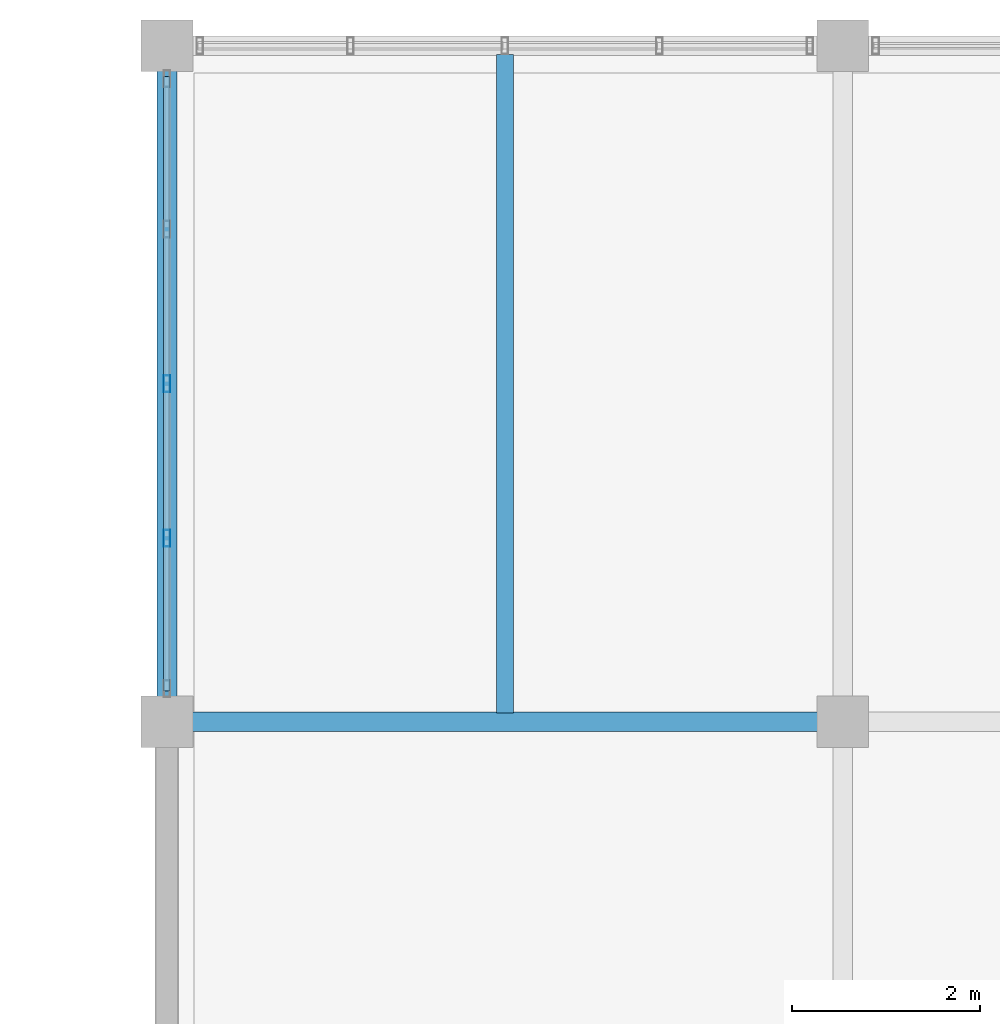
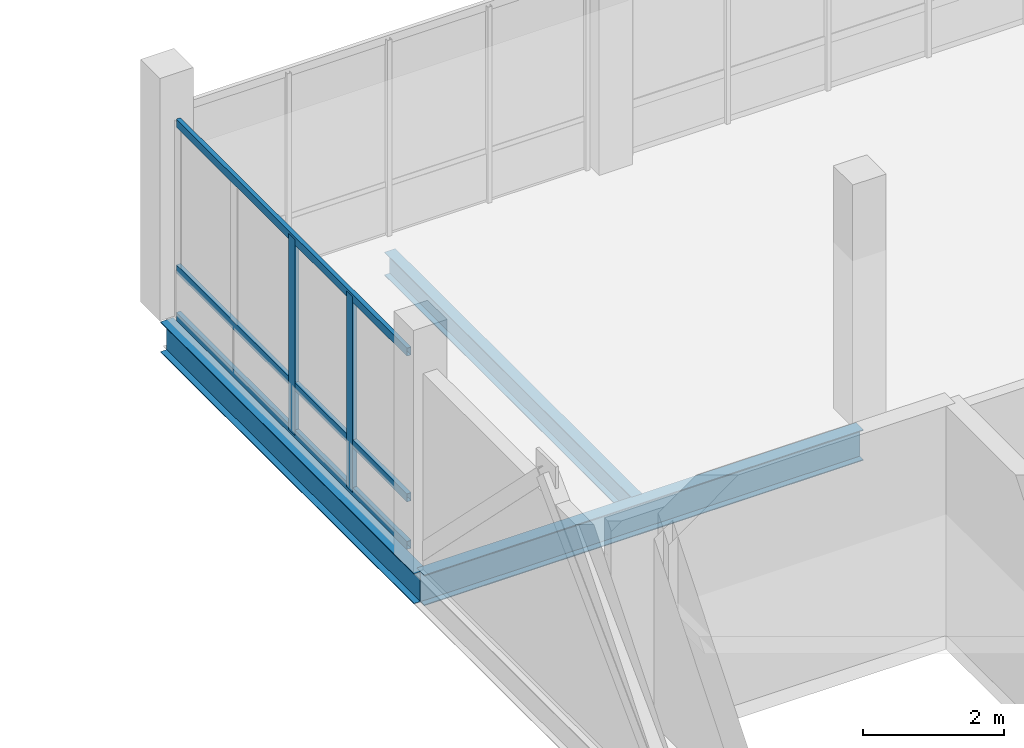
# One storey, part 17 of 47: 5 members, 3 beams, 1 element without a shape of its own.
"""IFC4 building model written with IfcOpenShell, lengths in metres."""

import ifcopenshell
import ifcopenshell.guid

model = None  # the IFC model being written
_history = None  # IfcOwnerHistory: only IFC2X3 demands one
_inside = {}  # id of a spatial element -> (the spatial element, [elements in it])
_under = {}  # id of a project, library or spatial element -> (it, [spatial elements below it])
_declared = {}  # id of a project -> (the project, [libraries it declares])
_typed = {}  # id of a type object -> (the type object, [elements of that type])
_made_of = {}  # id of a material, layer set ... -> (it, [elements and type objects made of it])


def new_model(schema):
    """Start an empty IFC model of exactly this schema.

    Asked for "IFC4X3", IfcOpenShell would pick the latest addendum, in which some entities
    have other attributes; the version numbers below select the first issue.
    IFC2X3 requires an IfcOwnerHistory on every rooted entity: one is made here for all.
    """
    global model, _history
    if schema == "IFC4X3":
        model = ifcopenshell.file(schema_version=(4, 3, 0, 0))
    else:
        model = ifcopenshell.file(schema=schema)
    _inside.clear()
    _under.clear()
    _declared.clear()
    _typed.clear()
    _made_of.clear()
    _history = None
    if model.schema == "IFC2X3":
        org = make("IfcOrganization", Name="unknown")
        user = make(
            "IfcPersonAndOrganization",
            ThePerson=make("IfcPerson", FamilyName="unknown"),
            TheOrganization=org,
        )
        app = make(
            "IfcApplication",
            ApplicationDeveloper=org,
            Version="unknown",
            ApplicationFullName="unknown",
            ApplicationIdentifier="unknown",
        )
        _history = make(
            "IfcOwnerHistory",
            OwningUser=user,
            OwningApplication=app,
            ChangeAction="ADDED",
            CreationDate=0,
        )
    return model


def make(cls, **values):
    """One entity of the class cls with the attributes given. An attribute that is None is left unset."""
    return model.create_entity(
        cls, **{name: value for name, value in values.items() if value is not None}
    )


def rooted(cls, **values):
    """An entity with a GlobalId (a new one), such as an element, a storey or a relation."""
    return make(cls, GlobalId=ifcopenshell.guid.new(), OwnerHistory=_history, **values)


def si_unit(unit_type, name, prefix=None):
    """IfcSIUnit, for example si_unit("LENGTHUNIT", "METRE", prefix="MILLI")."""
    return make("IfcSIUnit", UnitType=unit_type, Prefix=prefix, Name=name)


def assignment(units):
    """IfcUnitAssignment: the units of a project."""
    return None if units is None else make("IfcUnitAssignment", Units=units)


def point(xyz):
    """IfcCartesianPoint."""
    return None if xyz is None else make("IfcCartesianPoint", Coordinates=xyz)


def direction(xyz):
    """IfcDirection."""
    return None if xyz is None else make("IfcDirection", DirectionRatios=xyz)


def frame(location, z_axis=None, x_axis=None):
    """IfcAxis2Placement3D, a coordinate frame: its origin and axes. An axis left out is left unset."""
    return make(
        "IfcAxis2Placement3D",
        Location=point(location),
        Axis=direction(z_axis),
        RefDirection=direction(x_axis),
    )


def frame_2d(location, x_axis=None):
    """IfcAxis2Placement2D, a coordinate frame in the plane: its origin and x axis."""
    return make(
        "IfcAxis2Placement2D", Location=point(location), RefDirection=direction(x_axis)
    )


def origin():
    """The frame at (0, 0, 0) with its axes left unset."""
    return frame((0.0, 0.0, 0.0))


def origin_2d():
    """The frame at (0, 0) in the plane with its x axis left unset."""
    return frame_2d((0.0, 0.0))


def place(relative_to, where):
    """IfcLocalPlacement: puts the frame where relative to a parent placement (None: the world)."""
    return make(
        "IfcLocalPlacement", PlacementRelTo=relative_to, RelativePlacement=where
    )


def context(
    kind, dimensions, precision=None, world=None, true_north=None, identifier=None
):
    """IfcGeometricRepresentationContext, for example the 3D "Model" context."""
    return make(
        "IfcGeometricRepresentationContext",
        ContextIdentifier=identifier,
        ContextType=kind,
        CoordinateSpaceDimension=dimensions,
        Precision=precision,
        WorldCoordinateSystem=world,
        TrueNorth=true_north,
    )


def subcontext(parent, identifier, kind, view, scale=None):
    """IfcGeometricRepresentationSubContext, for example "Body" below "Model"."""
    return make(
        "IfcGeometricRepresentationSubContext",
        ContextIdentifier=identifier,
        ContextType=kind,
        ParentContext=parent,
        TargetScale=scale,
        TargetView=view,
    )


def project(units=None, contexts=None):
    """IfcProject with its units and contexts."""
    return rooted(
        "IfcProject",
        Name="project",
        RepresentationContexts=contexts,
        UnitsInContext=assignment(units),
    )


def spatial(cls, under=None, at=None, **own):
    """A site, building, storey or space (cls), placed at a placement, below another one or the project."""
    s = rooted(cls, ObjectPlacement=at, **own)
    if under is not None:
        _under.setdefault(under.id(), (under, []))[1].append(s)
    return s


def profile(cls, at=None, kind="AREA", **sizes):
    """A parametric profile (cls). Its sizes go by their IFC names, for example OverallWidth=200.0."""
    return make(cls, ProfileType=kind, Position=at, **sizes)


def hollow_rectangle(**sizes):
    """IfcRectangleHollowProfileDef."""
    return profile("IfcRectangleHollowProfileDef", **sizes)


def i_section(**sizes):
    """IfcIShapeProfileDef."""
    return profile("IfcIShapeProfileDef", **sizes)


def extrude(swept, where, along, depth):
    """IfcExtrudedAreaSolid: the profile swept, set in the frame where, extruded along a direction by depth."""
    return make(
        "IfcExtrudedAreaSolid",
        SweptArea=swept,
        Position=where,
        ExtrudedDirection=direction(along),
        Depth=depth,
    )


def shape(context_of_items, identifier, shape_type, items):
    """IfcShapeRepresentation: the items that make up one representation, for example the "Body"."""
    return make(
        "IfcShapeRepresentation",
        ContextOfItems=context_of_items,
        RepresentationIdentifier=identifier,
        RepresentationType=shape_type,
        Items=items,
    )


def material(Name=None, Category=None):
    """IfcMaterial."""
    return make("IfcMaterial", Name=Name, Category=Category)


def material_profile(
    of_material, cross_section, Name=None, Category=None, Priority=None
):
    """IfcMaterialProfile: a cross section and its material."""
    return make(
        "IfcMaterialProfile",
        Name=Name,
        Material=of_material,
        Profile=cross_section,
        Priority=Priority,
        Category=Category,
    )


def profile_set(profiles, Name=None, composite=None):
    """IfcMaterialProfileSet."""
    return make(
        "IfcMaterialProfileSet",
        Name=Name,
        MaterialProfiles=profiles,
        CompositeProfile=composite,
    )


def made_of(thing, what):
    """Note that an element or type object is made of a material, layer set ...; save() writes the relation."""
    if what is not None:
        _made_of.setdefault(what.id(), (what, []))[1].append(thing)
    return thing


def type_object(cls, material=None, **own):
    """A type object (cls), such as IfcWallType, which elements share."""
    return made_of(rooted(cls, **own), material)


def element(
    cls,
    number,
    at=None,
    inside=None,
    cuts=None,
    type_object=None,
    material=None,
    context=None,
    identifier="Body",
    shape_type=None,
    held_by="IfcProductDefinitionShape",
    body=None,
    shapes=None,
    **own,
):
    """One element of the class cls, such as IfcWall. Its Tag is "e" and its number.

    at: its placement. inside: the storey or other place that contains it. cuts: it is an
    opening in that element (IfcRelVoidsElement). A single representation is given by context,
    identifier, shape_type and body (its items); several are given by shapes. held_by: the class
    of the entity that holds the representations. save() writes the other relations.
    """
    e = rooted(cls, Tag="e%d" % number, ObjectPlacement=at, **own)
    if body is not None:
        shapes = [shape(context, identifier, shape_type, body)]
    if shapes is not None:
        e.Representation = make(held_by, Representations=shapes)
    if inside is not None:
        _inside.setdefault(inside.id(), (inside, []))[1].append(e)
    if cuts is not None:
        rooted(
            "IfcRelVoidsElement", RelatingBuildingElement=cuts, RelatedOpeningElement=e
        )
    if type_object is not None:
        _typed.setdefault(type_object.id(), (type_object, []))[1].append(e)
    return made_of(e, material)


def aggregate(whole, parts):
    """IfcRelAggregates: a whole, such as a stair, and the parts it consists of."""
    return rooted("IfcRelAggregates", RelatingObject=whole, RelatedObjects=parts)


def save(model, path):
    """Write the relations noted so far, then the file.

    IfcRelAggregates (storeys below a building ...), IfcRelContainedInSpatialStructure (elements
    in a storey), IfcRelDefinesByType, IfcRelAssociatesMaterial and IfcRelDeclares: one each for
    every whole, place, type object, material and project.
    """
    for whole, parts in _under.values():
        aggregate(whole, parts)
    for where, things in _inside.values():
        rooted(
            "IfcRelContainedInSpatialStructure",
            RelatedElements=things,
            RelatingStructure=where,
        )
    for kind, things in _typed.values():
        rooted("IfcRelDefinesByType", RelatedObjects=things, RelatingType=kind)
    for what, things in _made_of.values():
        rooted("IfcRelAssociatesMaterial", RelatedObjects=things, RelatingMaterial=what)
    for by, libraries in _declared.values():
        rooted("IfcRelDeclares", RelatingContext=by, RelatedDefinitions=libraries)
    model.write(path)


model = new_model("IFC4")

# Units and contexts
model_context = context("Model", 3, precision=1e-05, world=origin(), true_north=direction((0.0, 1.0)))
body_context = subcontext(model_context, "Body", "Model", "MODEL_VIEW")
ifc_project = project(units=[si_unit("LENGTHUNIT", "METRE"), si_unit("AREAUNIT", "SQUARE_METRE"), si_unit("VOLUMEUNIT", "CUBIC_METRE"), si_unit("PLANEANGLEUNIT", "RADIAN"), si_unit("MASSUNIT", "GRAM", prefix="KILO")], contexts=[model_context])

# Site, building, storey
site_placement = place(None, origin())
site = spatial("IfcSite", under=ifc_project, at=site_placement, CompositionType="ELEMENT")
building_placement = place(site_placement, origin())
building = spatial("IfcBuilding", under=site, at=building_placement, Name="Yarey Park Central Fire Station", CompositionType="ELEMENT")
storey_placement = place(building_placement, frame((0.0, 0.0, 18.0)))
storey = spatial("IfcBuildingStorey", under=building, at=storey_placement, Name="L05", CompositionType="ELEMENT", Elevation=18.0)

# Curtain wall, members
ifc_material_1 = material(Name="Anodized Aluminium Frame", Category="aluminium")
curtain_wall_type = type_object("IfcCurtainWallType", Name="ENV_CW_HQ_L05", PredefinedType="NOTDEFINED", material=ifc_material_1)
curtain_wall_placement = place(storey_placement, origin())
curtain_wall = element("IfcCurtainWall", 1, at=curtain_wall_placement, inside=storey, type_object=curtain_wall_type, Name="CW_L05_V4_W_108", PredefinedType="NOTDEFINED")
ifc_material_profile_1 = material_profile(ifc_material_1, hollow_rectangle(XDim=0.070068359375, YDim=0.179931640625, WallThickness=0.00390625, at=origin_2d()), Name="ALU 180x70x4")
ifc_profile_set_1 = profile_set([ifc_material_profile_1], Name="Anodized Aluminium Frame")
member_type_1 = type_object("IfcMemberType", Name="ENV_CW_MULLION", PredefinedType="MULLION", material=ifc_profile_set_1)
member_1_placement = place(storey_placement, frame((115.199951171875, 111.60009765625, 0.0), z_axis=(0.0, 0.0, 1.0), x_axis=(1.0, 0.0, 0.0)))
member_1 = element("IfcMember", 2, at=member_1_placement, type_object=member_type_1, Name="CW_L05_V4_W_108_MUL3", PredefinedType="MULLION", context=body_context, shape_type="SweptSolid", body=[
    extrude(hollow_rectangle(XDim=0.070068359375, YDim=0.179931640625, WallThickness=0.00390625, at=origin_2d()), origin(), (0.0, 0.0, 1.0), 3.39990234375),
])
member_2_placement = place(storey_placement, frame((115.199951171875, 109.955078125, 0.0), z_axis=(0.0, 0.0, 1.0), x_axis=(1.0, 0.0, 0.0)))
member_2 = element("IfcMember", 3, at=member_2_placement, type_object=member_type_1, Name="CW_L05_V4_W_108_MUL4", PredefinedType="MULLION", context=body_context, shape_type="SweptSolid", body=[
    extrude(hollow_rectangle(XDim=0.070068359375, YDim=0.179931640625, WallThickness=0.00390625, at=origin_2d()), origin(), (0.0, 0.0, 1.0), 3.39990234375),
])
ifc_material_profile_2 = material_profile(ifc_material_1, hollow_rectangle(XDim=0.070068359375, YDim=0.139892578125, WallThickness=0.00390625, at=origin_2d()), Name="ALU 140x70x4")
ifc_profile_set_2 = profile_set([ifc_material_profile_2], Name="Anodized Aluminium Frame")
member_type_2 = type_object("IfcMemberType", Name="ENV_CW_TRANSOM", PredefinedType="USERDEFINED", material=ifc_profile_set_2)
member_3_placement = place(storey_placement, frame((115.199951171875, 114.875, 0.02490234375), z_axis=(0.0, -1.0, 0.0), x_axis=(1.0, 0.0, 0.0)))
member_3 = element("IfcMember", 4, at=member_3_placement, type_object=member_type_2, Name="CW_L05_V4_W_108_TRN1", ObjectType="TRANSOM", PredefinedType="USERDEFINED", context=body_context, shape_type="SweptSolid", body=[
    extrude(hollow_rectangle(XDim=0.070068359375, YDim=0.139892578125, WallThickness=0.00390625, at=origin_2d()), origin(), (0.0, 0.0, 1.0), 6.550048828125),
])
member_4_placement = place(storey_placement, frame((115.199951171875, 114.875, 0.85009765625), z_axis=(0.0, -1.0, 0.0), x_axis=(1.0, 0.0, 0.0)))
member_4 = element("IfcMember", 5, at=member_4_placement, type_object=member_type_2, Name="CW_L05_V4_W_108_TRN2", ObjectType="TRANSOM", PredefinedType="USERDEFINED", context=body_context, shape_type="SweptSolid", body=[
    extrude(hollow_rectangle(XDim=0.070068359375, YDim=0.139892578125, WallThickness=0.00390625, at=origin_2d()), origin(), (0.0, 0.0, 1.0), 6.550048828125),
])
member_5_placement = place(storey_placement, frame((115.199951171875, 114.875, 3.375), z_axis=(0.0, -1.0, 0.0), x_axis=(1.0, 0.0, 0.0)))
member_5 = element("IfcMember", 6, at=member_5_placement, type_object=member_type_2, Name="CW_L05_V4_W_108_TRN3", ObjectType="TRANSOM", PredefinedType="USERDEFINED", context=body_context, shape_type="SweptSolid", body=[
    extrude(hollow_rectangle(XDim=0.070068359375, YDim=0.139892578125, WallThickness=0.00390625, at=origin_2d()), origin(), (0.0, 0.0, 1.0), 6.550048828125),
])
aggregate(curtain_wall, [member_1, member_2, member_3, member_4, member_5])

# Beams
ifc_material_2 = material(Name="Steel ASTM A992 Gr. 50", Category="steel")
ifc_material_profile_3 = material_profile(ifc_material_2, i_section(OverallWidth=0.208984375, OverallDepth=0.532958984375, WebThickness=0.01025390625, FlangeThickness=0.015625, at=origin_2d()), Name="W530x92")
ifc_profile_set_3 = profile_set([ifc_material_profile_3], Name="Steel ASTM A992 Gr. 50")
beam_type_1 = type_object("IfcBeamType", Name="STR_BM_W530", PredefinedType="BEAM", material=ifc_profile_set_3)
for number, where, z_axis, x_axis, name in (
    (7, (115.199951171875, 108.0, -0.506591796875), (1.0, 0.0, 0.0), (0.0, 1.0, 0.0), "BMX L05 Y1080 X1152"),
    (8, (115.199951171875, 108.0, -0.506591796875), (0.0, 1.0, 0.0), (-1.0, 0.0, 0.0), "BMY L05 X1152 Y1080"),
):
    element("IfcBeam", number, at=place(storey_placement, frame(where, z_axis=z_axis, x_axis=x_axis)), inside=storey, type_object=beam_type_1, Name=name, PredefinedType="BEAM", context=body_context, shape_type="SweptSolid", body=[
        extrude(i_section(OverallWidth=0.208984375, OverallDepth=0.532958984375, WebThickness=0.01025390625, FlangeThickness=0.015625, at=origin_2d()), origin(), (0.0, 0.0, 1.0), 7.199951171875),
    ])
ifc_material_profile_4 = material_profile(ifc_material_2, i_section(OverallWidth=0.177978515625, OverallDepth=0.406982421875, WebThickness=0.0078125, FlangeThickness=0.0126953125, at=origin_2d()), Name="W410x60")
ifc_profile_set_4 = profile_set([ifc_material_profile_4], Name="Steel ASTM A992 Gr. 50")
beam_type_2 = type_object("IfcBeamType", Name="STR_JST_W410", PredefinedType="JOIST", material=ifc_profile_set_4)
beam_placement = place(storey_placement, frame((118.800048828125, 108.094970703125, -0.443603515625), z_axis=(0.0, 1.0, 0.0), x_axis=(-1.0, 0.0, 0.0)))
element("IfcBeam", 9, at=beam_placement, inside=storey, type_object=beam_type_2, Name="JST L05 X1188 Y1080", PredefinedType="JOIST", context=body_context, shape_type="SweptSolid", body=[
    extrude(i_section(OverallWidth=0.177978515625, OverallDepth=0.406982421875, WebThickness=0.0078125, FlangeThickness=0.0126953125, at=origin_2d()), origin(), (0.0, 0.0, 1.0), 7.010009765625),
])

save(model, "model.ifc")
